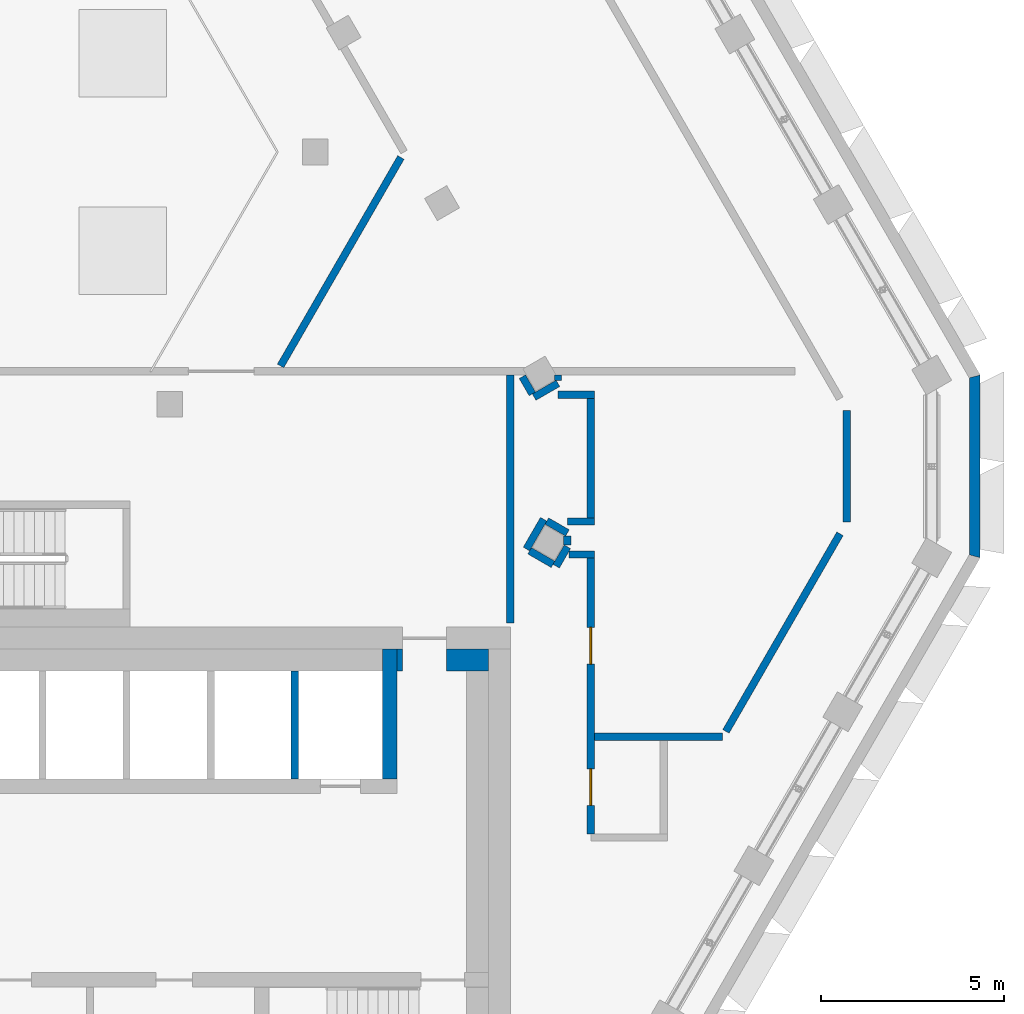
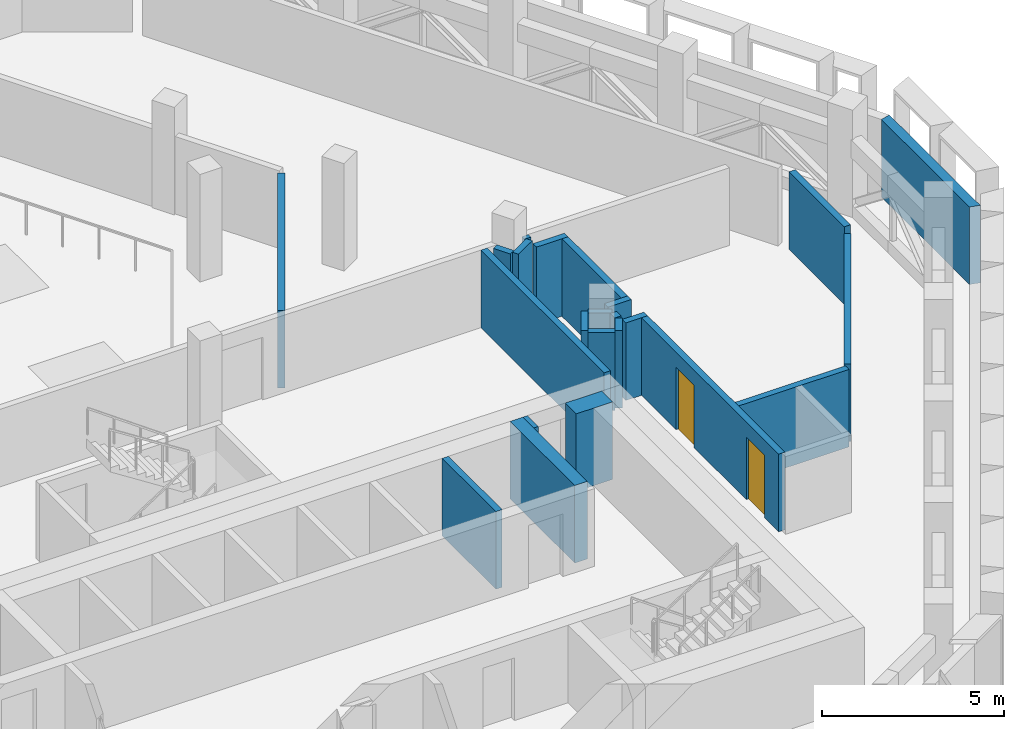
# One storey, part 12 of 24: 23 walls, 2 doors, 2 openings.
"""IFC4 building model written with IfcOpenShell, lengths in metres."""

from ifc_helpers import new_model, si_unit, direction, frame, frame_2d, origin, place, context, subcontext, project, spatial, polyline, rectangle, outline, extrude, material, layer, layer_set, type_object, element, fill, save


model = new_model("IFC4")

# Units and contexts
model_context = context("Model", 3, precision=1e-05, world=origin(), true_north=direction((0.0, 1.0)))
body_context = subcontext(model_context, "Body", "Model", "MODEL_VIEW")
ifc_project = project(units=[si_unit("LENGTHUNIT", "METRE"), si_unit("AREAUNIT", "SQUARE_METRE"), si_unit("VOLUMEUNIT", "CUBIC_METRE"), si_unit("PLANEANGLEUNIT", "RADIAN"), si_unit("MASSUNIT", "GRAM", prefix="KILO")], contexts=[model_context])

# Site, building, storey
site_placement = place(None, origin())
site = spatial("IfcSite", under=ifc_project, at=site_placement, CompositionType="ELEMENT")
building_placement = place(site_placement, origin())
building = spatial("IfcBuilding", under=site, at=building_placement, Name="Beryl Residences", CompositionType="ELEMENT")
storey_placement = place(building_placement, frame((0.0, 0.0, 199.199951171875)))
storey = spatial("IfcBuildingStorey", under=building, at=storey_placement, Name="L61", CompositionType="ELEMENT", Elevation=199.199951171875)

# Walls
ifc_material_1 = material(Name="Composite metal panel with mineral wool insulation")
ifc_layer_1 = layer(ifc_material_1, 0.300048828125)
ifc_layer_set_1 = layer_set([ifc_layer_1], Name="ES1 pale metal composite panel wall 300 mm")
wall_type_1 = type_object("IfcWallType", Name="ES1 pale metal composite panel wall 300 mm", PredefinedType="SOLIDWALL", material=ifc_layer_set_1)
wall_1_placement = place(storey_placement, frame((26.00390625, -3.10009765625, 0.0), z_axis=(0.0, 0.0, 1.0), x_axis=(0.0, 1.0, 0.0)))
element("IfcWall", 1, at=wall_1_placement, inside=storey, type_object=wall_type_1, Name="ES1 external wall L61 SE-NE", PredefinedType="SOLIDWALL", context=body_context, shape_type="SweptSolid", body=[
    extrude(outline(polyline([(0.0, -0.14990234375), (5.0, -0.14990234375), (4.919677734375, 0.14990234375), (0.080322265625, 0.14990234375), (0.0, -0.14990234375)])), origin(), (0.0, 0.0, 1.0), 2.60009765625),
])
ifc_material_2 = material(Name="Concrete masonry", Category="masonry")
ifc_layer_2 = layer(ifc_material_2, 0.14990234375)
ifc_layer_set_2 = layer_set([ifc_layer_2], Name="PT13-150 lobby wall 150 mm")
wall_type_2 = type_object("IfcWallType", Name="PT13-150 lobby wall 150 mm", PredefinedType="PARTITIONING", material=ifc_layer_set_2)
wall_2_placement = place(storey_placement, frame((10.27490234375, -6.199951171875, 0.0), z_axis=(0.0, 0.0, 1.0), x_axis=(0.0, 1.0, 0.0)))
element("IfcWall", 2, at=wall_2_placement, inside=storey, type_object=wall_type_2, Name="Lobby wall 24", PredefinedType="PARTITIONING", context=body_context, shape_type="SweptSolid", body=[
    extrude(rectangle(XDim=0.599853515625, YDim=0.14990234375, at=frame_2d((0.2998046875, 0.0))), origin(), (0.0, 0.0, 1.0), 2.60009765625),
])
ifc_material_3 = material(Name="Concrete masonry", Category="masonry")
ifc_layer_3 = layer(ifc_material_3, 0.60009765625)
ifc_layer_set_3 = layer_set([ifc_layer_3], Name="PT13-600 lobby wall 600 mm")
wall_type_3 = type_object("IfcWallType", Name="PT13-600 lobby wall 600 mm", PredefinedType="PARTITIONING", material=ifc_layer_set_3)
wall_3_placement = place(storey_placement, frame((11.550048828125, -5.89990234375, 0.0), z_axis=(0.0, 0.0, 1.0), x_axis=(1.0, 0.0, 0.0)))
element("IfcWall", 3, at=wall_3_placement, inside=storey, type_object=wall_type_3, Name="Lobby wall 25", PredefinedType="PARTITIONING", context=body_context, shape_type="SweptSolid", body=[
    extrude(rectangle(XDim=1.14990234375, YDim=0.60009765625, at=frame_2d((0.574951171875, 0.0))), origin(), (0.0, 0.0, 1.0), 2.60009765625),
])
ifc_material_4 = material(Name="Double stud gypsum board wall")
ifc_layer_4 = layer(ifc_material_4, 0.199951171875)
ifc_layer_set_4 = layer_set([ifc_layer_4], Name="PT4 corridor wall 200 mm double stud")
wall_type_4 = type_object("IfcWallType", Name="PT4 corridor wall 200 mm double stud", PredefinedType="PARTITIONING", material=ifc_layer_set_4)
wall_4_placement = place(storey_placement, frame((13.300048828125, -4.8798828125, 0.0), z_axis=(0.0, 0.0, 1.0), x_axis=(0.0, 1.0, 0.0)))
element("IfcWall", 4, at=wall_4_placement, inside=storey, type_object=wall_type_4, Name="Wall PT4 L61 003", PredefinedType="PARTITIONING", context=body_context, shape_type="SweptSolid", body=[
    extrude(rectangle(XDim=6.77978515625, YDim=0.199951171875, at=frame_2d((3.389892578125, 0.0))), origin(), (0.0, 0.0, 1.0), 2.60009765625),
])
ifc_material_5 = material(Name="Concrete C40/50", Category="concrete")
ifc_layer_5 = layer(ifc_material_5, 0.199951171875)
ifc_layer_set_5 = layer_set([ifc_layer_5], Name="PT6 lift shaft wall 200 mm reinforced concrete C40/50")
wall_type_5 = type_object("IfcWallType", Name="PT6 lift shaft wall 200 mm reinforced concrete C40/50", PredefinedType="SOLIDWALL", material=ifc_layer_set_5)
wall_5_placement = place(storey_placement, frame((7.39990234375, -9.14990234375, 0.0), z_axis=(0.0, 0.0, 1.0), x_axis=(0.0, 1.0, 0.0)))
element("IfcWall", 5, at=wall_5_placement, inside=storey, type_object=wall_type_5, Name="Lift shaft wall 23", PredefinedType="SOLIDWALL", context=body_context, shape_type="SweptSolid", body=[
    extrude(rectangle(XDim=2.949951171875, YDim=0.199951171875, at=frame_2d((1.47509765625, 0.0))), origin(), (0.0, 0.0, 1.0), 2.60009765625),
])
ifc_material_6 = material(Name="Concrete C40/50", Category="concrete")
ifc_layer_6 = layer(ifc_material_6, 0.199951171875)
ifc_layer_set_6 = layer_set([ifc_layer_6], Name="PT9-200 plant room wall 200 mm")
wall_type_6 = type_object("IfcWallType", Name="PT9-200 plant room wall 200 mm", PredefinedType="SOLIDWALL", material=ifc_layer_set_6)
wall_6_placement = place(storey_placement, frame((15.60009765625, -8.0, 0.0), z_axis=(0.0, 0.0, 1.0), x_axis=(1.0, 0.0, 0.0)))
element("IfcWall", 6, at=wall_6_placement, inside=storey, type_object=wall_type_6, Name="Wall PT9-200 L61 001", PredefinedType="SOLIDWALL", context=body_context, shape_type="SweptSolid", body=[
    extrude(rectangle(XDim=3.510009765625, YDim=0.199951171875, at=frame_2d((1.7548828125, 0.0))), origin(), (0.0, 0.0, 1.0), 2.60009765625),
])
wall_7_placement = place(storey_placement, frame((14.909912109375, -3.010986328125, 0.0), z_axis=(0.0, 0.0, 1.0), x_axis=(1.0, 0.0, 0.0)))
element("IfcWall", 7, at=wall_7_placement, inside=storey, type_object=wall_type_6, Name="Wall PT9-200 L61 002", PredefinedType="SOLIDWALL", context=body_context, shape_type="SweptSolid", body=[
    extrude(rectangle(XDim=0.690185546875, YDim=0.199951171875, at=frame_2d((0.34521484375, 0.0))), origin(), (0.0, 0.0, 1.0), 2.60009765625),
])
wall_8_placement = place(storey_placement, frame((14.860107421875, -2.111083984375, 0.0), z_axis=(0.0, 0.0, 1.0), x_axis=(1.0, 0.0, 0.0)))
element("IfcWall", 8, at=wall_8_placement, inside=storey, type_object=wall_type_6, Name="Wall PT9-200 L61 003", PredefinedType="SOLIDWALL", context=body_context, shape_type="SweptSolid", body=[
    extrude(rectangle(XDim=0.739990234375, YDim=0.199951171875, at=frame_2d((0.3701171875, 0.0))), origin(), (0.0, 0.0, 1.0), 2.60009765625),
])
wall_9_placement = place(storey_placement, frame((14.60107421875, 1.35888671875, 0.0), z_axis=(0.0, 0.0, 1.0), x_axis=(1.0, 0.0, 0.0)))
element("IfcWall", 9, at=wall_9_placement, inside=storey, type_object=wall_type_6, Name="Wall PT9-200 L61 004", PredefinedType="SOLIDWALL", context=body_context, shape_type="SweptSolid", body=[
    extrude(rectangle(XDim=0.9990234375, YDim=0.199951171875, at=frame_2d((0.49951171875, 0.0))), origin(), (0.0, 0.0, 1.0), 2.60009765625),
])
wall_10_placement = place(storey_placement, frame((14.60107421875, 1.7490234375, 0.0), z_axis=(0.0, 0.0, 1.0), x_axis=(0.0, 1.0, 0.0)))
element("IfcWall", 10, at=wall_10_placement, inside=storey, type_object=wall_type_6, Name="Wall PT9-200 L61 010", PredefinedType="SOLIDWALL", context=body_context, shape_type="SweptSolid", body=[
    extrude(rectangle(XDim=0.15087890625, YDim=0.199951171875, at=frame_2d((0.075439453125, 0.0))), origin(), (0.0, 0.0, 1.0), 2.60009765625),
])
wall_11_placement = place(storey_placement, frame((14.860107421875, -2.7509765625, 0.0), z_axis=(0.0, 0.0, 1.0), x_axis=(0.0, 1.0, 0.0)))
element("IfcWall", 11, at=wall_11_placement, inside=storey, type_object=wall_type_6, Name="Wall PT9-200 L61 011", PredefinedType="SOLIDWALL", context=body_context, shape_type="SweptSolid", body=[
    extrude(rectangle(XDim=0.25, YDim=0.199951171875, at=frame_2d((0.125, 0.0))), origin(), (0.0, 0.0, 1.0), 2.60009765625),
])

# Wall, openings, doors
wall_12_placement = place(storey_placement, frame((15.5, -10.652099609375, 0.0), z_axis=(0.0, 0.0, 1.0), x_axis=(0.0, 1.0, 0.0)))
wall_12 = element("IfcWall", 12, at=wall_12_placement, inside=storey, type_object=wall_type_6, Name="Wall PT9-200 L61 012", PredefinedType="SOLIDWALL", context=body_context, shape_type="SweptSolid", body=[
    extrude(rectangle(XDim=7.541015625, YDim=0.199951171875, at=frame_2d((3.7705078125, 0.0))), origin(), (0.0, 0.0, 1.0), 2.60009765625),
])
opening_1_placement = place(wall_12_placement, frame((1.778076171875, 0.0, 0.0), z_axis=(0.0, 0.0, 1.0), x_axis=(-1.0, 0.0, 0.0)))
opening_1 = element("IfcOpeningElement", 13, at=opening_1_placement, cuts=wall_12, Name="Opening L61-02", PredefinedType="OPENING", context=body_context, shape_type="SweptSolid", body=[
    extrude(rectangle(XDim=1.0, YDim=2.10009765625, at=frame_2d((0.5, 1.050048828125))), frame((0.0, 0.10986328125, 0.0), z_axis=(0.0, -1.0, 0.0), x_axis=(1.0, 0.0, 0.0)), (0.0, 0.0, 1.0), 0.219970703125),
])
opening_2_placement = place(wall_12_placement, frame((5.64404296875, 0.0, 0.0), z_axis=(0.0, 0.0, 1.0), x_axis=(-1.0, 0.0, 0.0)))
opening_2 = element("IfcOpeningElement", 14, at=opening_2_placement, cuts=wall_12, Name="Opening L61-05", PredefinedType="OPENING", context=body_context, shape_type="SweptSolid", body=[
    extrude(rectangle(XDim=1.0, YDim=2.10009765625, at=frame_2d((0.5, 1.050048828125))), frame((0.0, 0.10986328125, 0.0), z_axis=(0.0, -1.0, 0.0), x_axis=(1.0, 0.0, 0.0)), (0.0, 0.0, 1.0), 0.219970703125),
])
ifc_material_7 = material(Name="Steel door leaf in steel frame", Category="steel")
door_type_1 = type_object("IfcDoorType", Name="D16 plant room door 1000 x 2100 mm", OperationType="SINGLE_SWING_LEFT", PredefinedType="DOOR", material=ifc_material_7)
door_1_placement = place(opening_2_placement, origin())
door_1 = element("IfcDoor", 15, at=door_1_placement, inside=storey, type_object=door_type_1, Name="Door L61-05 L61 001", OperationType="SINGLE_SWING_RIGHT", OverallHeight=2.10009765625, OverallWidth=1.0, PredefinedType="DOOR", context=body_context, shape_type="SweptSolid", body=[
    extrude(rectangle(XDim=1.0, YDim=2.10009765625, at=frame_2d((0.5, 1.050048828125))), frame((0.0, 0.02490234375, 0.0), z_axis=(0.0, -1.0, 0.0), x_axis=(1.0, 0.0, 0.0)), (0.0, 0.0, 1.0), 0.050048828125),
])
fill(opening_2, door_1)
ifc_material_8 = material(Name="Timber door leaf", Category="wood")
door_type_2 = type_object("IfcDoorType", Name="D19 room door 1000 x 2100 mm", OperationType="SINGLE_SWING_LEFT", PredefinedType="DOOR", material=ifc_material_8)
door_2_placement = place(opening_1_placement, origin())
door_2 = element("IfcDoor", 16, at=door_2_placement, inside=storey, type_object=door_type_2, Name="Door L61-02 L61 001", OperationType="SINGLE_SWING_LEFT", OverallHeight=2.10009765625, OverallWidth=1.0, PredefinedType="DOOR", context=body_context, shape_type="SweptSolid", body=[
    extrude(rectangle(XDim=1.0, YDim=2.10009765625, at=frame_2d((0.5, 1.050048828125))), frame((0.0, 0.02490234375, 0.0), z_axis=(0.0, -1.0, 0.0), x_axis=(1.0, 0.0, 0.0)), (0.0, 0.0, 1.0), 0.050048828125),
])
fill(opening_1, door_2)

# Walls
wall_13_placement = place(storey_placement, frame((15.5, -2.010986328125, 0.0), z_axis=(0.0, 0.0, 1.0), x_axis=(0.0, 1.0, 0.0)))
element("IfcWall", 17, at=wall_13_placement, inside=storey, type_object=wall_type_6, Name="Wall PT9-200 L61 013", PredefinedType="SOLIDWALL", context=body_context, shape_type="SweptSolid", body=[
    extrude(rectangle(XDim=3.27001953125, YDim=0.199951171875, at=frame_2d((1.635009765625, 0.0))), origin(), (0.0, 0.0, 1.0), 2.60009765625),
])
wall_14_placement = place(storey_placement, frame((22.50390625, -2.1220703125, 0.0), z_axis=(0.0, 0.0, 1.0), x_axis=(0.0, 1.0, 0.0)))
element("IfcWall", 18, at=wall_14_placement, inside=storey, type_object=wall_type_6, Name="Wall PT9-200 L61 014", PredefinedType="SOLIDWALL", context=body_context, shape_type="SweptSolid", body=[
    extrude(rectangle(XDim=3.044189453125, YDim=0.199951171875, at=frame_2d((1.52197265625, 0.0))), origin(), (0.0, 0.0, 1.0), 2.60009765625),
])
wall_15_placement = place(storey_placement, frame((14.297119140625, -2.096923828125, 0.0), z_axis=(0.0, 0.0, 1.0), x_axis=(0.865922902183, -0.50017749597, 0.0)))
element("IfcWall", 19, at=wall_15_placement, inside=storey, type_object=wall_type_6, Name="Wall PT9-200 L61 016", PredefinedType="SOLIDWALL", context=body_context, shape_type="SweptSolid", body=[
    extrude(rectangle(XDim=0.650146484375, YDim=0.199951171875, at=frame_2d((0.3251953125, 0.0))), origin(), (0.0, 0.0, 1.0), 2.60009765625),
])
wall_16_placement = place(storey_placement, frame((13.826904296875, -2.910888671875, 0.0), z_axis=(0.0, 0.0, 1.0), x_axis=(0.86571247639, -0.500541614877, 0.0)))
element("IfcWall", 20, at=wall_16_placement, inside=storey, type_object=wall_type_6, Name="Wall PT9-200 L61 019", PredefinedType="SOLIDWALL", context=body_context, shape_type="SweptSolid", body=[
    extrude(rectangle(XDim=0.739501953125, YDim=0.199951171875, at=frame_2d((0.36962890625, 0.0))), origin(), (0.0, 0.0, 1.0), 2.60009765625),
])
wall_17_placement = place(storey_placement, frame((13.62890625, 1.85205078125, 0.0), z_axis=(0.0, 0.0, 1.0), x_axis=(0.500876749519, -0.86551862013, 0.0)))
element("IfcWall", 21, at=wall_17_placement, inside=storey, type_object=wall_type_6, Name="Wall PT9-200 L61 021", PredefinedType="SOLIDWALL", context=body_context, shape_type="SweptSolid", body=[
    extrude(rectangle(XDim=0.54296875, YDim=0.199951171875, at=frame_2d((0.271484375, 0.0))), origin(), (0.0, 0.0, 1.0), 2.60009765625),
])
wall_18_placement = place(storey_placement, frame((13.950927734375, 1.294921875, 0.0), z_axis=(0.0, 0.0, 1.0), x_axis=(0.866234320545, 0.499637970844, 0.0)))
element("IfcWall", 22, at=wall_18_placement, inside=storey, type_object=wall_type_6, Name="Wall PT9-200 L61 024", PredefinedType="SOLIDWALL", context=body_context, shape_type="SweptSolid", body=[
    extrude(rectangle(XDim=0.75048828125, YDim=0.199951171875, at=frame_2d((0.375244140625, 0.0))), origin(), (0.0, 0.0, 1.0), 2.60009765625),
])
wall_19_placement = place(storey_placement, frame((13.739990234375, -2.861083984375, 0.0), z_axis=(0.0, 0.0, 1.0), x_axis=(0.500022248069, 0.866012558475, 0.0)))
element("IfcWall", 23, at=wall_19_placement, inside=storey, type_object=wall_type_6, Name="Wall PT9-200 L61 025", PredefinedType="SOLIDWALL", context=body_context, shape_type="SweptSolid", body=[
    extrude(rectangle(XDim=0.93994140625, YDim=0.199951171875, at=frame_2d((0.469970703125, 0.0))), origin(), (0.0, 0.0, 1.0), 2.60009765625),
])
wall_20_placement = place(storey_placement, frame((14.553955078125, -3.3310546875, 0.0), z_axis=(0.0, 0.0, 1.0), x_axis=(0.500171270639, 0.865926498051, 0.0)))
element("IfcWall", 24, at=wall_20_placement, inside=storey, type_object=wall_type_6, Name="Wall PT9-200 L61 026", PredefinedType="SOLIDWALL", context=body_context, shape_type="SweptSolid", body=[
    extrude(rectangle(XDim=0.612060546875, YDim=0.199951171875, at=frame_2d((0.30615234375, 0.0))), origin(), (0.0, 0.0, 1.0), 2.60009765625),
])
wall_21_placement = place(storey_placement, frame((19.197021484375, -7.85009765625, 0.0), z_axis=(0.0, 0.0, 1.0), x_axis=(0.499913221443, 0.866075499611, 0.0)))
element("IfcWall", 25, at=wall_21_placement, inside=storey, type_object=wall_type_6, Name="Wall PT9-200 L61 027", PredefinedType="SOLIDWALL", context=body_context, shape_type="SweptSolid", body=[
    extrude(rectangle(XDim=6.24072265625, YDim=0.199951171875, at=frame_2d((3.120361328125, 0.0))), origin(), (0.0, 0.0, 1.0), 2.60009765625),
])
wall_22_placement = place(storey_placement, frame((7.012939453125, 2.14794921875, 0.0), z_axis=(0.0, 0.0, 1.0), x_axis=(0.499983511822, 0.866034923029, 0.0)))
element("IfcWall", 26, at=wall_22_placement, inside=storey, type_object=wall_type_6, Name="Wall PT9-200 L61 028", PredefinedType="SOLIDWALL", context=body_context, shape_type="SweptSolid", body=[
    extrude(rectangle(XDim=6.584228515625, YDim=0.199951171875, at=frame_2d((3.2919921875, 0.0))), origin(), (0.0, 0.0, 1.0), 2.60009765625),
])
ifc_material_9 = material(Name="Concrete C50/60", Category="concrete")
ifc_layer_7 = layer(ifc_material_9, 0.39990234375)
ifc_layer_set_7 = layer_set([ifc_layer_7], Name="SW9 core internal wall 400 mm C50/60")
wall_type_7 = type_object("IfcWallType", Name="SW9 core internal wall 400 mm C50/60", PredefinedType="SHEAR", material=ifc_layer_set_7)
wall_23_placement = place(storey_placement, frame((10.0, -9.14990234375, 0.0), z_axis=(0.0, 0.0, 1.0), x_axis=(0.0, 1.0, 0.0)))
element("IfcWall", 27, at=wall_23_placement, inside=storey, type_object=wall_type_7, Name="Core wall XN2 L61", PredefinedType="SHEAR", context=body_context, shape_type="SweptSolid", body=[
    extrude(rectangle(XDim=3.5498046875, YDim=0.39990234375, at=frame_2d((1.77490234375, 0.0))), origin(), (0.0, 0.0, 1.0), 2.60009765625),
])

save(model, "model.ifc")
